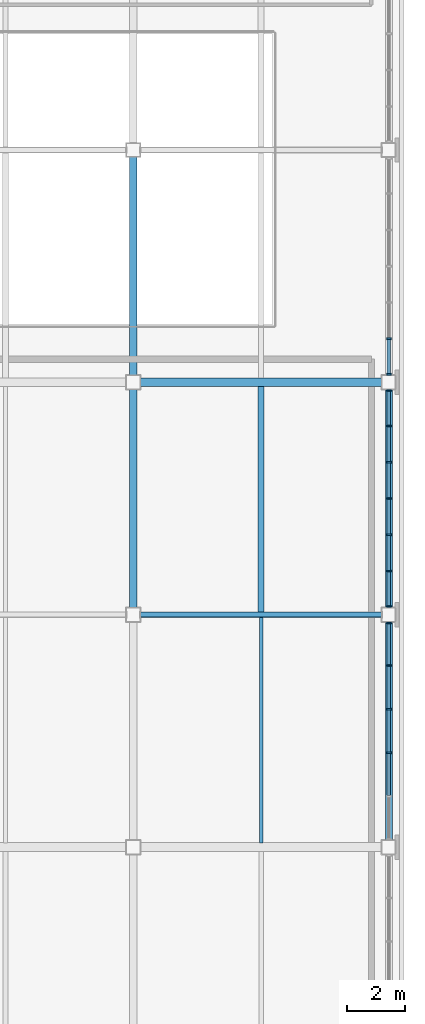
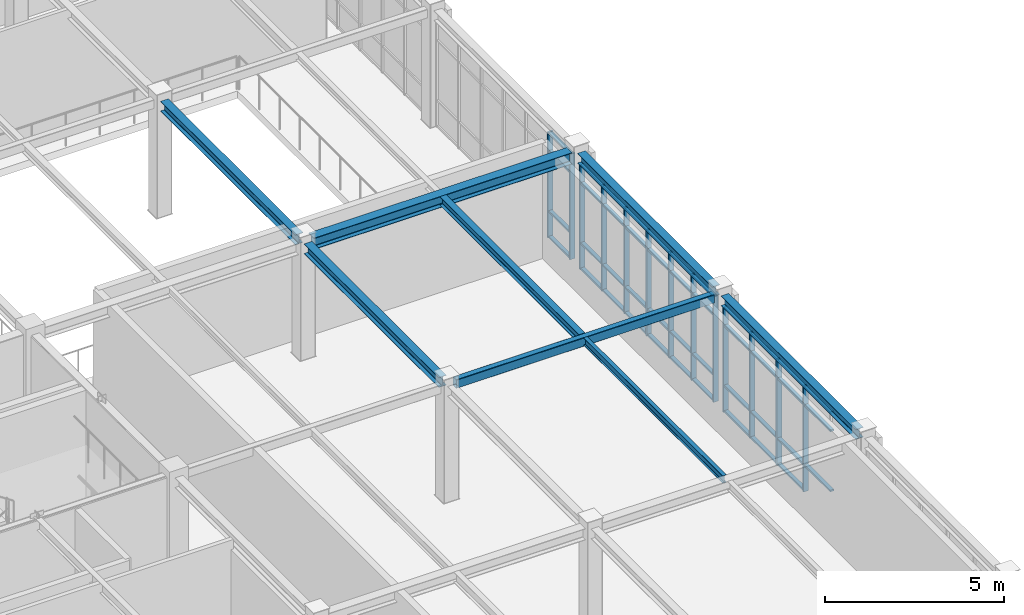
# One storey, part 10 of 45: 56 members, 8 beams, 3 elements without a shape of their own.
"""IFC4 building model written with IfcOpenShell, lengths in metres."""

from ifc_helpers import new_model, si_unit, direction, frame, origin, origin_2d, place, context, subcontext, project, spatial, rectangle, hollow_rectangle, i_section, extrude, material, material_profile, profile_set, type_object, element, aggregate, save


model = new_model("IFC4")

# Units and contexts
model_context = context("Model", 3, precision=1e-05, world=origin(), true_north=direction((0.0, 1.0)))
body_context = subcontext(model_context, "Body", "Model", "MODEL_VIEW")
ifc_project = project(units=[si_unit("LENGTHUNIT", "METRE"), si_unit("AREAUNIT", "SQUARE_METRE"), si_unit("VOLUMEUNIT", "CUBIC_METRE"), si_unit("PLANEANGLEUNIT", "RADIAN"), si_unit("MASSUNIT", "GRAM", prefix="KILO")], contexts=[model_context])

# Site, building, storey
site_placement = place(None, origin())
site = spatial("IfcSite", under=ifc_project, at=site_placement, CompositionType="ELEMENT")
building_placement = place(site_placement, origin())
building = spatial("IfcBuilding", under=site, at=building_placement, Name="Zhaolan Boulevard Law Courts", CompositionType="ELEMENT")
storey_placement = place(building_placement, frame((0.0, 0.0, 24.60009765625)))
storey = spatial("IfcBuildingStorey", under=building, at=storey_placement, Name="L05", CompositionType="ELEMENT", Elevation=24.60009765625)

# Curtain wall, members
ifc_material_1 = material(Name="Thermally broken aluminium and low-E glazing", Category="aluminium")
curtain_wall_type_1 = type_object("IfcCurtainWallType", Name="CURTAIN WALL M3", PredefinedType="USERDEFINED", material=ifc_material_1)
curtain_wall_1_placement = place(storey_placement, origin())
curtain_wall_1 = element("IfcCurtainWall", 1, at=curtain_wall_1_placement, inside=storey, type_object=curtain_wall_type_1, Name="Curtain Wall CW-L05-219", ObjectType="CURTAIN WALL", PredefinedType="USERDEFINED")
ifc_material_2 = material(Name="Fluorocarbon-coated aluminium 6063-T6", Category="aluminium")
ifc_material_profile_1 = material_profile(ifc_material_2, rectangle(XDim=0.159912109375, YDim=0.06005859375, at=origin_2d()), Name="AL60x160")
ifc_profile_set_1 = profile_set([ifc_material_profile_1], Name="Fluorocarbon-coated aluminium 6063-T6")
member_type_1 = type_object("IfcMemberType", Name="CWMULLION 60X160", PredefinedType="MULLION", material=ifc_profile_set_1)
member_1_placement = place(storey_placement, frame((44.0, 41.25048828125, 0.0), z_axis=(0.0, 0.0, 1.0), x_axis=(-1.0, 0.0, 0.0)))
member_1 = element("IfcMember", 2, at=member_1_placement, type_object=member_type_1, Name="CW-L05-219 mullion 3", PredefinedType="MULLION", context=body_context, shape_type="SweptSolid", body=[
    extrude(rectangle(XDim=0.159912109375, YDim=0.06005859375, at=origin_2d()), origin(), (0.0, 0.0, 1.0), 3.593017578125),
])
member_2_placement = place(storey_placement, frame((44.0, 42.74951171875, 0.0), z_axis=(0.0, 0.0, 1.0), x_axis=(-1.0, 0.0, 0.0)))
member_2 = element("IfcMember", 3, at=member_2_placement, type_object=member_type_1, Name="CW-L05-219 mullion 4", PredefinedType="MULLION", context=body_context, shape_type="SweptSolid", body=[
    extrude(rectangle(XDim=0.159912109375, YDim=0.06005859375, at=origin_2d()), origin(), (0.0, 0.0, 1.0), 3.593017578125),
])
member_3_placement = place(storey_placement, frame((44.0, 44.248779296875, 0.0), z_axis=(0.0, 0.0, 1.0), x_axis=(-1.0, 0.0, 0.0)))
member_3 = element("IfcMember", 4, at=member_3_placement, type_object=member_type_1, Name="CW-L05-219 mullion 5", PredefinedType="MULLION", context=body_context, shape_type="SweptSolid", body=[
    extrude(rectangle(XDim=0.159912109375, YDim=0.06005859375, at=origin_2d()), origin(), (0.0, 0.0, 1.0), 3.593017578125),
])
member_4_placement = place(storey_placement, frame((44.0, 45.718017578125, 0.0), z_axis=(0.0, 0.0, 1.0), x_axis=(-1.0, 0.0, 0.0)))
member_4 = element("IfcMember", 5, at=member_4_placement, type_object=member_type_1, Name="CW-L05-219 mullion 6", PredefinedType="MULLION", context=body_context, shape_type="SweptSolid", body=[
    extrude(rectangle(XDim=0.159912109375, YDim=0.06005859375, at=origin_2d()), origin(), (0.0, 0.0, 1.0), 3.593017578125),
])

ifc_material_3 = material(Name="Thermally broken aluminium and low-E glazing", Category="aluminium")
curtain_wall_type_2 = type_object("IfcCurtainWallType", Name="CURTAIN WALL M4", PredefinedType="USERDEFINED", material=ifc_material_3)
curtain_wall_2_placement = place(storey_placement, origin())
curtain_wall_2 = element("IfcCurtainWall", 6, at=curtain_wall_2_placement, inside=storey, type_object=curtain_wall_type_2, Name="Curtain Wall CW-L05-220", ObjectType="CURTAIN WALL", PredefinedType="USERDEFINED")
member_5_placement = place(storey_placement, frame((44.0, 46.281982421875, 0.0), z_axis=(0.0, 0.0, 1.0), x_axis=(-1.0, 0.0, 0.0)))
member_5 = element("IfcMember", 7, at=member_5_placement, type_object=member_type_1, Name="CW-L05-220 mullion 1", PredefinedType="MULLION", context=body_context, shape_type="SweptSolid", body=[
    extrude(rectangle(XDim=0.159912109375, YDim=0.06005859375, at=origin_2d()), origin(), (0.0, 0.0, 1.0), 3.593017578125),
])
member_6_placement = place(storey_placement, frame((44.0, 47.501220703125, 0.0), z_axis=(0.0, 0.0, 1.0), x_axis=(-1.0, 0.0, 0.0)))
member_6 = element("IfcMember", 8, at=member_6_placement, type_object=member_type_1, Name="CW-L05-220 mullion 2", PredefinedType="MULLION", context=body_context, shape_type="SweptSolid", body=[
    extrude(rectangle(XDim=0.159912109375, YDim=0.06005859375, at=origin_2d()), origin(), (0.0, 0.0, 1.0), 3.593017578125),
])
member_7_placement = place(storey_placement, frame((44.0, 48.750732421875, 0.0), z_axis=(0.0, 0.0, 1.0), x_axis=(-1.0, 0.0, 0.0)))
member_7 = element("IfcMember", 9, at=member_7_placement, type_object=member_type_1, Name="CW-L05-220 mullion 3", PredefinedType="MULLION", context=body_context, shape_type="SweptSolid", body=[
    extrude(rectangle(XDim=0.159912109375, YDim=0.06005859375, at=origin_2d()), origin(), (0.0, 0.0, 1.0), 3.593017578125),
])
member_8_placement = place(storey_placement, frame((44.0, 50.0, 0.0), z_axis=(0.0, 0.0, 1.0), x_axis=(-1.0, 0.0, 0.0)))
member_8 = element("IfcMember", 10, at=member_8_placement, type_object=member_type_1, Name="CW-L05-220 mullion 4", PredefinedType="MULLION", context=body_context, shape_type="SweptSolid", body=[
    extrude(rectangle(XDim=0.159912109375, YDim=0.06005859375, at=origin_2d()), origin(), (0.0, 0.0, 1.0), 3.593017578125),
])
member_9_placement = place(storey_placement, frame((44.0, 51.249267578125, 0.0), z_axis=(0.0, 0.0, 1.0), x_axis=(-1.0, 0.0, 0.0)))
member_9 = element("IfcMember", 11, at=member_9_placement, type_object=member_type_1, Name="CW-L05-220 mullion 5", PredefinedType="MULLION", context=body_context, shape_type="SweptSolid", body=[
    extrude(rectangle(XDim=0.159912109375, YDim=0.06005859375, at=origin_2d()), origin(), (0.0, 0.0, 1.0), 3.593017578125),
])
member_10_placement = place(storey_placement, frame((44.0, 52.498779296875, 0.0), z_axis=(0.0, 0.0, 1.0), x_axis=(-1.0, 0.0, 0.0)))
member_10 = element("IfcMember", 12, at=member_10_placement, type_object=member_type_1, Name="CW-L05-220 mullion 6", PredefinedType="MULLION", context=body_context, shape_type="SweptSolid", body=[
    extrude(rectangle(XDim=0.159912109375, YDim=0.06005859375, at=origin_2d()), origin(), (0.0, 0.0, 1.0), 3.593017578125),
])
member_11_placement = place(storey_placement, frame((44.0, 53.718017578125, 0.0), z_axis=(0.0, 0.0, 1.0), x_axis=(-1.0, 0.0, 0.0)))
member_11 = element("IfcMember", 13, at=member_11_placement, type_object=member_type_1, Name="CW-L05-220 mullion 7", PredefinedType="MULLION", context=body_context, shape_type="SweptSolid", body=[
    extrude(rectangle(XDim=0.159912109375, YDim=0.06005859375, at=origin_2d()), origin(), (0.0, 0.0, 1.0), 3.593017578125),
])

ifc_material_4 = material(Name="Thermally broken aluminium and low-E glazing", Category="aluminium")
curtain_wall_type_3 = type_object("IfcCurtainWallType", Name="CURTAIN WALL M5", PredefinedType="USERDEFINED", material=ifc_material_4)
curtain_wall_3_placement = place(storey_placement, origin())
curtain_wall_3 = element("IfcCurtainWall", 14, at=curtain_wall_3_placement, inside=storey, type_object=curtain_wall_type_3, Name="Curtain Wall CW-L05-221", ObjectType="CURTAIN WALL", PredefinedType="USERDEFINED")
member_12_placement = place(storey_placement, frame((44.0, 54.281982421875, 0.0), z_axis=(0.0, 0.0, 1.0), x_axis=(-1.0, 0.0, 0.0)))
member_12 = element("IfcMember", 15, at=member_12_placement, type_object=member_type_1, Name="CW-L05-221 mullion 1", PredefinedType="MULLION", context=body_context, shape_type="SweptSolid", body=[
    extrude(rectangle(XDim=0.159912109375, YDim=0.06005859375, at=origin_2d()), origin(), (0.0, 0.0, 1.0), 3.593017578125),
])
member_13_placement = place(storey_placement, frame((44.0, 55.501220703125, 0.0), z_axis=(0.0, 0.0, 1.0), x_axis=(-1.0, 0.0, 0.0)))
member_13 = element("IfcMember", 16, at=member_13_placement, type_object=member_type_1, Name="CW-L05-221 mullion 2", PredefinedType="MULLION", context=body_context, shape_type="SweptSolid", body=[
    extrude(rectangle(XDim=0.159912109375, YDim=0.06005859375, at=origin_2d()), origin(), (0.0, 0.0, 1.0), 3.593017578125),
])

# Member
ifc_material_5 = material(Name="Fluorocarbon-coated aluminium 6063-T6", Category="aluminium")
ifc_material_profile_2 = material_profile(ifc_material_5, rectangle(XDim=0.1201171875, YDim=0.06005859375, at=origin_2d()), Name="AL60x120")
ifc_profile_set_2 = profile_set([ifc_material_profile_2], Name="Fluorocarbon-coated aluminium 6063-T6")
member_type_2 = type_object("IfcMemberType", Name="CWTRANSOM 60X120", PredefinedType="USERDEFINED", material=ifc_profile_set_2)
member_14_placement = place(storey_placement, frame((44.0, 39.78125, 0.89990234375), z_axis=(0.0, 1.0, 0.0), x_axis=(-1.0, 0.0, 0.0)))
member_14 = element("IfcMember", 17, at=member_14_placement, type_object=member_type_2, Name="CW-L05-219 transom 2.2", ObjectType="TRANSOM", PredefinedType="USERDEFINED", context=body_context, shape_type="SweptSolid", body=[
    extrude(rectangle(XDim=0.1201171875, YDim=0.06005859375, at=origin_2d()), origin(), (0.0, 0.0, 1.0), 1.439208984375),
])

member_15_placement = place(storey_placement, frame((44.0, 39.78125, 2.94287109375), z_axis=(0.0, 1.0, 0.0), x_axis=(-1.0, 0.0, 0.0)))
member_15 = element("IfcMember", 18, at=member_15_placement, type_object=member_type_2, Name="CW-L05-219 transom 2.3", ObjectType="TRANSOM", PredefinedType="USERDEFINED", context=body_context, shape_type="SweptSolid", body=[
    extrude(rectangle(XDim=0.1201171875, YDim=0.06005859375, at=origin_2d()), origin(), (0.0, 0.0, 1.0), 1.439208984375),
])

member_16_placement = place(storey_placement, frame((44.0, 39.78125, 3.56298828125), z_axis=(0.0, 1.0, 0.0), x_axis=(-1.0, 0.0, 0.0)))
member_16 = element("IfcMember", 19, at=member_16_placement, type_object=member_type_2, Name="CW-L05-219 transom 2.4", ObjectType="TRANSOM", PredefinedType="USERDEFINED", context=body_context, shape_type="SweptSolid", body=[
    extrude(rectangle(XDim=0.1201171875, YDim=0.06005859375, at=origin_2d()), origin(), (0.0, 0.0, 1.0), 1.439208984375),
])

member_17_placement = place(storey_placement, frame((44.0, 41.280517578125, 0.02978515625), z_axis=(0.0, 1.0, 0.0), x_axis=(-1.0, 0.0, 0.0)))
member_17 = element("IfcMember", 20, at=member_17_placement, type_object=member_type_2, Name="CW-L05-219 transom 3.1", ObjectType="TRANSOM", PredefinedType="USERDEFINED", context=body_context, shape_type="SweptSolid", body=[
    extrude(rectangle(XDim=0.1201171875, YDim=0.06005859375, at=origin_2d()), origin(), (0.0, 0.0, 1.0), 1.43896484375),
])

member_18_placement = place(storey_placement, frame((44.0, 41.280517578125, 0.89990234375), z_axis=(0.0, 1.0, 0.0), x_axis=(-1.0, 0.0, 0.0)))
member_18 = element("IfcMember", 21, at=member_18_placement, type_object=member_type_2, Name="CW-L05-219 transom 3.2", ObjectType="TRANSOM", PredefinedType="USERDEFINED", context=body_context, shape_type="SweptSolid", body=[
    extrude(rectangle(XDim=0.1201171875, YDim=0.06005859375, at=origin_2d()), origin(), (0.0, 0.0, 1.0), 1.43896484375),
])

member_19_placement = place(storey_placement, frame((44.0, 41.280517578125, 2.94287109375), z_axis=(0.0, 1.0, 0.0), x_axis=(-1.0, 0.0, 0.0)))
member_19 = element("IfcMember", 22, at=member_19_placement, type_object=member_type_2, Name="CW-L05-219 transom 3.3", ObjectType="TRANSOM", PredefinedType="USERDEFINED", context=body_context, shape_type="SweptSolid", body=[
    extrude(rectangle(XDim=0.1201171875, YDim=0.06005859375, at=origin_2d()), origin(), (0.0, 0.0, 1.0), 1.43896484375),
])

member_20_placement = place(storey_placement, frame((44.0, 41.280517578125, 3.56298828125), z_axis=(0.0, 1.0, 0.0), x_axis=(-1.0, 0.0, 0.0)))
member_20 = element("IfcMember", 23, at=member_20_placement, type_object=member_type_2, Name="CW-L05-219 transom 3.4", ObjectType="TRANSOM", PredefinedType="USERDEFINED", context=body_context, shape_type="SweptSolid", body=[
    extrude(rectangle(XDim=0.1201171875, YDim=0.06005859375, at=origin_2d()), origin(), (0.0, 0.0, 1.0), 1.43896484375),
])

member_21_placement = place(storey_placement, frame((44.0, 42.779541015625, 0.02978515625), z_axis=(0.0, 1.0, 0.0), x_axis=(-1.0, 0.0, 0.0)))
member_21 = element("IfcMember", 24, at=member_21_placement, type_object=member_type_2, Name="CW-L05-219 transom 4.1", ObjectType="TRANSOM", PredefinedType="USERDEFINED", context=body_context, shape_type="SweptSolid", body=[
    extrude(rectangle(XDim=0.1201171875, YDim=0.06005859375, at=origin_2d()), origin(), (0.0, 0.0, 1.0), 1.439208984375),
])

member_22_placement = place(storey_placement, frame((44.0, 42.779541015625, 0.89990234375), z_axis=(0.0, 1.0, 0.0), x_axis=(-1.0, 0.0, 0.0)))
member_22 = element("IfcMember", 25, at=member_22_placement, type_object=member_type_2, Name="CW-L05-219 transom 4.2", ObjectType="TRANSOM", PredefinedType="USERDEFINED", context=body_context, shape_type="SweptSolid", body=[
    extrude(rectangle(XDim=0.1201171875, YDim=0.06005859375, at=origin_2d()), origin(), (0.0, 0.0, 1.0), 1.439208984375),
])

member_23_placement = place(storey_placement, frame((44.0, 42.779541015625, 2.94287109375), z_axis=(0.0, 1.0, 0.0), x_axis=(-1.0, 0.0, 0.0)))
member_23 = element("IfcMember", 26, at=member_23_placement, type_object=member_type_2, Name="CW-L05-219 transom 4.3", ObjectType="TRANSOM", PredefinedType="USERDEFINED", context=body_context, shape_type="SweptSolid", body=[
    extrude(rectangle(XDim=0.1201171875, YDim=0.06005859375, at=origin_2d()), origin(), (0.0, 0.0, 1.0), 1.439208984375),
])

member_24_placement = place(storey_placement, frame((44.0, 42.779541015625, 3.56298828125), z_axis=(0.0, 1.0, 0.0), x_axis=(-1.0, 0.0, 0.0)))
member_24 = element("IfcMember", 27, at=member_24_placement, type_object=member_type_2, Name="CW-L05-219 transom 4.4", ObjectType="TRANSOM", PredefinedType="USERDEFINED", context=body_context, shape_type="SweptSolid", body=[
    extrude(rectangle(XDim=0.1201171875, YDim=0.06005859375, at=origin_2d()), origin(), (0.0, 0.0, 1.0), 1.439208984375),
])

member_25_placement = place(storey_placement, frame((44.0, 44.27880859375, 0.02978515625), z_axis=(0.0, 1.0, 0.0), x_axis=(-1.0, 0.0, 0.0)))
member_25 = element("IfcMember", 28, at=member_25_placement, type_object=member_type_2, Name="CW-L05-219 transom 5.1", ObjectType="TRANSOM", PredefinedType="USERDEFINED", context=body_context, shape_type="SweptSolid", body=[
    extrude(rectangle(XDim=0.1201171875, YDim=0.06005859375, at=origin_2d()), origin(), (0.0, 0.0, 1.0), 1.4091796875),
])

member_26_placement = place(storey_placement, frame((44.0, 44.27880859375, 0.89990234375), z_axis=(0.0, 1.0, 0.0), x_axis=(-1.0, 0.0, 0.0)))
member_26 = element("IfcMember", 29, at=member_26_placement, type_object=member_type_2, Name="CW-L05-219 transom 5.2", ObjectType="TRANSOM", PredefinedType="USERDEFINED", context=body_context, shape_type="SweptSolid", body=[
    extrude(rectangle(XDim=0.1201171875, YDim=0.06005859375, at=origin_2d()), origin(), (0.0, 0.0, 1.0), 1.4091796875),
])

member_27_placement = place(storey_placement, frame((44.0, 44.27880859375, 2.94287109375), z_axis=(0.0, 1.0, 0.0), x_axis=(-1.0, 0.0, 0.0)))
member_27 = element("IfcMember", 30, at=member_27_placement, type_object=member_type_2, Name="CW-L05-219 transom 5.3", ObjectType="TRANSOM", PredefinedType="USERDEFINED", context=body_context, shape_type="SweptSolid", body=[
    extrude(rectangle(XDim=0.1201171875, YDim=0.06005859375, at=origin_2d()), origin(), (0.0, 0.0, 1.0), 1.4091796875),
])

member_28_placement = place(storey_placement, frame((44.0, 44.27880859375, 3.56298828125), z_axis=(0.0, 1.0, 0.0), x_axis=(-1.0, 0.0, 0.0)))
member_28 = element("IfcMember", 31, at=member_28_placement, type_object=member_type_2, Name="CW-L05-219 transom 5.4", ObjectType="TRANSOM", PredefinedType="USERDEFINED", context=body_context, shape_type="SweptSolid", body=[
    extrude(rectangle(XDim=0.1201171875, YDim=0.06005859375, at=origin_2d()), origin(), (0.0, 0.0, 1.0), 1.4091796875),
])

aggregate(curtain_wall_1, [member_1, member_2, member_3, member_4, member_14, member_15, member_16, member_17, member_18, member_19, member_20, member_21, member_22, member_23, member_24, member_25, member_26, member_27, member_28])

member_29_placement = place(storey_placement, frame((44.0, 46.31201171875, 0.02978515625), z_axis=(0.0, 1.0, 0.0), x_axis=(-1.0, 0.0, 0.0)))
member_29 = element("IfcMember", 32, at=member_29_placement, type_object=member_type_2, Name="CW-L05-220 transom 1.1", ObjectType="TRANSOM", PredefinedType="USERDEFINED", context=body_context, shape_type="SweptSolid", body=[
    extrude(rectangle(XDim=0.1201171875, YDim=0.06005859375, at=origin_2d()), origin(), (0.0, 0.0, 1.0), 1.159423828125),
])

member_30_placement = place(storey_placement, frame((44.0, 46.31201171875, 0.89990234375), z_axis=(0.0, 1.0, 0.0), x_axis=(-1.0, 0.0, 0.0)))
member_30 = element("IfcMember", 33, at=member_30_placement, type_object=member_type_2, Name="CW-L05-220 transom 1.2", ObjectType="TRANSOM", PredefinedType="USERDEFINED", context=body_context, shape_type="SweptSolid", body=[
    extrude(rectangle(XDim=0.1201171875, YDim=0.06005859375, at=origin_2d()), origin(), (0.0, 0.0, 1.0), 1.159423828125),
])

member_31_placement = place(storey_placement, frame((44.0, 46.31201171875, 2.94287109375), z_axis=(0.0, 1.0, 0.0), x_axis=(-1.0, 0.0, 0.0)))
member_31 = element("IfcMember", 34, at=member_31_placement, type_object=member_type_2, Name="CW-L05-220 transom 1.3", ObjectType="TRANSOM", PredefinedType="USERDEFINED", context=body_context, shape_type="SweptSolid", body=[
    extrude(rectangle(XDim=0.1201171875, YDim=0.06005859375, at=origin_2d()), origin(), (0.0, 0.0, 1.0), 1.159423828125),
])

member_32_placement = place(storey_placement, frame((44.0, 46.31201171875, 3.56298828125), z_axis=(0.0, 1.0, 0.0), x_axis=(-1.0, 0.0, 0.0)))
member_32 = element("IfcMember", 35, at=member_32_placement, type_object=member_type_2, Name="CW-L05-220 transom 1.4", ObjectType="TRANSOM", PredefinedType="USERDEFINED", context=body_context, shape_type="SweptSolid", body=[
    extrude(rectangle(XDim=0.1201171875, YDim=0.06005859375, at=origin_2d()), origin(), (0.0, 0.0, 1.0), 1.159423828125),
])

member_33_placement = place(storey_placement, frame((44.0, 47.53125, 0.02978515625), z_axis=(0.0, 1.0, 0.0), x_axis=(-1.0, 0.0, 0.0)))
member_33 = element("IfcMember", 36, at=member_33_placement, type_object=member_type_2, Name="CW-L05-220 transom 2.1", ObjectType="TRANSOM", PredefinedType="USERDEFINED", context=body_context, shape_type="SweptSolid", body=[
    extrude(rectangle(XDim=0.1201171875, YDim=0.06005859375, at=origin_2d()), origin(), (0.0, 0.0, 1.0), 1.189453125),
])

member_34_placement = place(storey_placement, frame((44.0, 47.53125, 0.89990234375), z_axis=(0.0, 1.0, 0.0), x_axis=(-1.0, 0.0, 0.0)))
member_34 = element("IfcMember", 37, at=member_34_placement, type_object=member_type_2, Name="CW-L05-220 transom 2.2", ObjectType="TRANSOM", PredefinedType="USERDEFINED", context=body_context, shape_type="SweptSolid", body=[
    extrude(rectangle(XDim=0.1201171875, YDim=0.06005859375, at=origin_2d()), origin(), (0.0, 0.0, 1.0), 1.189453125),
])

member_35_placement = place(storey_placement, frame((44.0, 47.53125, 2.94287109375), z_axis=(0.0, 1.0, 0.0), x_axis=(-1.0, 0.0, 0.0)))
member_35 = element("IfcMember", 38, at=member_35_placement, type_object=member_type_2, Name="CW-L05-220 transom 2.3", ObjectType="TRANSOM", PredefinedType="USERDEFINED", context=body_context, shape_type="SweptSolid", body=[
    extrude(rectangle(XDim=0.1201171875, YDim=0.06005859375, at=origin_2d()), origin(), (0.0, 0.0, 1.0), 1.189453125),
])

member_36_placement = place(storey_placement, frame((44.0, 47.53125, 3.56298828125), z_axis=(0.0, 1.0, 0.0), x_axis=(-1.0, 0.0, 0.0)))
member_36 = element("IfcMember", 39, at=member_36_placement, type_object=member_type_2, Name="CW-L05-220 transom 2.4", ObjectType="TRANSOM", PredefinedType="USERDEFINED", context=body_context, shape_type="SweptSolid", body=[
    extrude(rectangle(XDim=0.1201171875, YDim=0.06005859375, at=origin_2d()), origin(), (0.0, 0.0, 1.0), 1.189453125),
])

member_37_placement = place(storey_placement, frame((44.0, 48.78076171875, 0.02978515625), z_axis=(0.0, 1.0, 0.0), x_axis=(-1.0, 0.0, 0.0)))
member_37 = element("IfcMember", 40, at=member_37_placement, type_object=member_type_2, Name="CW-L05-220 transom 3.1", ObjectType="TRANSOM", PredefinedType="USERDEFINED", context=body_context, shape_type="SweptSolid", body=[
    extrude(rectangle(XDim=0.1201171875, YDim=0.06005859375, at=origin_2d()), origin(), (0.0, 0.0, 1.0), 1.189208984375),
])

member_38_placement = place(storey_placement, frame((44.0, 48.78076171875, 0.89990234375), z_axis=(0.0, 1.0, 0.0), x_axis=(-1.0, 0.0, 0.0)))
member_38 = element("IfcMember", 41, at=member_38_placement, type_object=member_type_2, Name="CW-L05-220 transom 3.2", ObjectType="TRANSOM", PredefinedType="USERDEFINED", context=body_context, shape_type="SweptSolid", body=[
    extrude(rectangle(XDim=0.1201171875, YDim=0.06005859375, at=origin_2d()), origin(), (0.0, 0.0, 1.0), 1.189208984375),
])

member_39_placement = place(storey_placement, frame((44.0, 48.78076171875, 2.94287109375), z_axis=(0.0, 1.0, 0.0), x_axis=(-1.0, 0.0, 0.0)))
member_39 = element("IfcMember", 42, at=member_39_placement, type_object=member_type_2, Name="CW-L05-220 transom 3.3", ObjectType="TRANSOM", PredefinedType="USERDEFINED", context=body_context, shape_type="SweptSolid", body=[
    extrude(rectangle(XDim=0.1201171875, YDim=0.06005859375, at=origin_2d()), origin(), (0.0, 0.0, 1.0), 1.189208984375),
])

member_40_placement = place(storey_placement, frame((44.0, 48.78076171875, 3.56298828125), z_axis=(0.0, 1.0, 0.0), x_axis=(-1.0, 0.0, 0.0)))
member_40 = element("IfcMember", 43, at=member_40_placement, type_object=member_type_2, Name="CW-L05-220 transom 3.4", ObjectType="TRANSOM", PredefinedType="USERDEFINED", context=body_context, shape_type="SweptSolid", body=[
    extrude(rectangle(XDim=0.1201171875, YDim=0.06005859375, at=origin_2d()), origin(), (0.0, 0.0, 1.0), 1.189208984375),
])

member_41_placement = place(storey_placement, frame((44.0, 50.030029296875, 0.02978515625), z_axis=(0.0, 1.0, 0.0), x_axis=(-1.0, 0.0, 0.0)))
member_41 = element("IfcMember", 44, at=member_41_placement, type_object=member_type_2, Name="CW-L05-220 transom 4.1", ObjectType="TRANSOM", PredefinedType="USERDEFINED", context=body_context, shape_type="SweptSolid", body=[
    extrude(rectangle(XDim=0.1201171875, YDim=0.06005859375, at=origin_2d()), origin(), (0.0, 0.0, 1.0), 1.189208984375),
])

member_42_placement = place(storey_placement, frame((44.0, 50.030029296875, 0.89990234375), z_axis=(0.0, 1.0, 0.0), x_axis=(-1.0, 0.0, 0.0)))
member_42 = element("IfcMember", 45, at=member_42_placement, type_object=member_type_2, Name="CW-L05-220 transom 4.2", ObjectType="TRANSOM", PredefinedType="USERDEFINED", context=body_context, shape_type="SweptSolid", body=[
    extrude(rectangle(XDim=0.1201171875, YDim=0.06005859375, at=origin_2d()), origin(), (0.0, 0.0, 1.0), 1.189208984375),
])

member_43_placement = place(storey_placement, frame((44.0, 50.030029296875, 2.94287109375), z_axis=(0.0, 1.0, 0.0), x_axis=(-1.0, 0.0, 0.0)))
member_43 = element("IfcMember", 46, at=member_43_placement, type_object=member_type_2, Name="CW-L05-220 transom 4.3", ObjectType="TRANSOM", PredefinedType="USERDEFINED", context=body_context, shape_type="SweptSolid", body=[
    extrude(rectangle(XDim=0.1201171875, YDim=0.06005859375, at=origin_2d()), origin(), (0.0, 0.0, 1.0), 1.189208984375),
])

member_44_placement = place(storey_placement, frame((44.0, 50.030029296875, 3.56298828125), z_axis=(0.0, 1.0, 0.0), x_axis=(-1.0, 0.0, 0.0)))
member_44 = element("IfcMember", 47, at=member_44_placement, type_object=member_type_2, Name="CW-L05-220 transom 4.4", ObjectType="TRANSOM", PredefinedType="USERDEFINED", context=body_context, shape_type="SweptSolid", body=[
    extrude(rectangle(XDim=0.1201171875, YDim=0.06005859375, at=origin_2d()), origin(), (0.0, 0.0, 1.0), 1.189208984375),
])

member_45_placement = place(storey_placement, frame((44.0, 51.279296875, 0.02978515625), z_axis=(0.0, 1.0, 0.0), x_axis=(-1.0, 0.0, 0.0)))
member_45 = element("IfcMember", 48, at=member_45_placement, type_object=member_type_2, Name="CW-L05-220 transom 5.1", ObjectType="TRANSOM", PredefinedType="USERDEFINED", context=body_context, shape_type="SweptSolid", body=[
    extrude(rectangle(XDim=0.1201171875, YDim=0.06005859375, at=origin_2d()), origin(), (0.0, 0.0, 1.0), 1.189453125),
])

member_46_placement = place(storey_placement, frame((44.0, 51.279296875, 0.89990234375), z_axis=(0.0, 1.0, 0.0), x_axis=(-1.0, 0.0, 0.0)))
member_46 = element("IfcMember", 49, at=member_46_placement, type_object=member_type_2, Name="CW-L05-220 transom 5.2", ObjectType="TRANSOM", PredefinedType="USERDEFINED", context=body_context, shape_type="SweptSolid", body=[
    extrude(rectangle(XDim=0.1201171875, YDim=0.06005859375, at=origin_2d()), origin(), (0.0, 0.0, 1.0), 1.189453125),
])

member_47_placement = place(storey_placement, frame((44.0, 51.279296875, 2.94287109375), z_axis=(0.0, 1.0, 0.0), x_axis=(-1.0, 0.0, 0.0)))
member_47 = element("IfcMember", 50, at=member_47_placement, type_object=member_type_2, Name="CW-L05-220 transom 5.3", ObjectType="TRANSOM", PredefinedType="USERDEFINED", context=body_context, shape_type="SweptSolid", body=[
    extrude(rectangle(XDim=0.1201171875, YDim=0.06005859375, at=origin_2d()), origin(), (0.0, 0.0, 1.0), 1.189453125),
])

member_48_placement = place(storey_placement, frame((44.0, 51.279296875, 3.56298828125), z_axis=(0.0, 1.0, 0.0), x_axis=(-1.0, 0.0, 0.0)))
member_48 = element("IfcMember", 51, at=member_48_placement, type_object=member_type_2, Name="CW-L05-220 transom 5.4", ObjectType="TRANSOM", PredefinedType="USERDEFINED", context=body_context, shape_type="SweptSolid", body=[
    extrude(rectangle(XDim=0.1201171875, YDim=0.06005859375, at=origin_2d()), origin(), (0.0, 0.0, 1.0), 1.189453125),
])

member_49_placement = place(storey_placement, frame((44.0, 52.528564453125, 0.02978515625), z_axis=(0.0, 1.0, 0.0), x_axis=(-1.0, 0.0, 0.0)))
member_49 = element("IfcMember", 52, at=member_49_placement, type_object=member_type_2, Name="CW-L05-220 transom 6.1", ObjectType="TRANSOM", PredefinedType="USERDEFINED", context=body_context, shape_type="SweptSolid", body=[
    extrude(rectangle(XDim=0.1201171875, YDim=0.06005859375, at=origin_2d()), origin(), (0.0, 0.0, 1.0), 1.159423828125),
])

member_50_placement = place(storey_placement, frame((44.0, 52.528564453125, 0.89990234375), z_axis=(0.0, 1.0, 0.0), x_axis=(-1.0, 0.0, 0.0)))
member_50 = element("IfcMember", 53, at=member_50_placement, type_object=member_type_2, Name="CW-L05-220 transom 6.2", ObjectType="TRANSOM", PredefinedType="USERDEFINED", context=body_context, shape_type="SweptSolid", body=[
    extrude(rectangle(XDim=0.1201171875, YDim=0.06005859375, at=origin_2d()), origin(), (0.0, 0.0, 1.0), 1.159423828125),
])

member_51_placement = place(storey_placement, frame((44.0, 52.528564453125, 2.94287109375), z_axis=(0.0, 1.0, 0.0), x_axis=(-1.0, 0.0, 0.0)))
member_51 = element("IfcMember", 54, at=member_51_placement, type_object=member_type_2, Name="CW-L05-220 transom 6.3", ObjectType="TRANSOM", PredefinedType="USERDEFINED", context=body_context, shape_type="SweptSolid", body=[
    extrude(rectangle(XDim=0.1201171875, YDim=0.06005859375, at=origin_2d()), origin(), (0.0, 0.0, 1.0), 1.159423828125),
])

member_52_placement = place(storey_placement, frame((44.0, 52.528564453125, 3.56298828125), z_axis=(0.0, 1.0, 0.0), x_axis=(-1.0, 0.0, 0.0)))
member_52 = element("IfcMember", 55, at=member_52_placement, type_object=member_type_2, Name="CW-L05-220 transom 6.4", ObjectType="TRANSOM", PredefinedType="USERDEFINED", context=body_context, shape_type="SweptSolid", body=[
    extrude(rectangle(XDim=0.1201171875, YDim=0.06005859375, at=origin_2d()), origin(), (0.0, 0.0, 1.0), 1.159423828125),
])

aggregate(curtain_wall_2, [member_5, member_6, member_7, member_8, member_9, member_10, member_11, member_29, member_30, member_31, member_32, member_33, member_34, member_35, member_36, member_37, member_38, member_39, member_40, member_41, member_42, member_43, member_44, member_45, member_46, member_47, member_48, member_49, member_50, member_51, member_52])

member_53_placement = place(storey_placement, frame((44.0, 54.31201171875, 0.02978515625), z_axis=(0.0, 1.0, 0.0), x_axis=(-1.0, 0.0, 0.0)))
member_53 = element("IfcMember", 56, at=member_53_placement, type_object=member_type_2, Name="CW-L05-221 transom 1.1", ObjectType="TRANSOM", PredefinedType="USERDEFINED", context=body_context, shape_type="SweptSolid", body=[
    extrude(rectangle(XDim=0.1201171875, YDim=0.06005859375, at=origin_2d()), origin(), (0.0, 0.0, 1.0), 1.159423828125),
])

member_54_placement = place(storey_placement, frame((44.0, 54.31201171875, 0.89990234375), z_axis=(0.0, 1.0, 0.0), x_axis=(-1.0, 0.0, 0.0)))
member_54 = element("IfcMember", 57, at=member_54_placement, type_object=member_type_2, Name="CW-L05-221 transom 1.2", ObjectType="TRANSOM", PredefinedType="USERDEFINED", context=body_context, shape_type="SweptSolid", body=[
    extrude(rectangle(XDim=0.1201171875, YDim=0.06005859375, at=origin_2d()), origin(), (0.0, 0.0, 1.0), 1.159423828125),
])

member_55_placement = place(storey_placement, frame((44.0, 54.31201171875, 2.94287109375), z_axis=(0.0, 1.0, 0.0), x_axis=(-1.0, 0.0, 0.0)))
member_55 = element("IfcMember", 58, at=member_55_placement, type_object=member_type_2, Name="CW-L05-221 transom 1.3", ObjectType="TRANSOM", PredefinedType="USERDEFINED", context=body_context, shape_type="SweptSolid", body=[
    extrude(rectangle(XDim=0.1201171875, YDim=0.06005859375, at=origin_2d()), origin(), (0.0, 0.0, 1.0), 1.159423828125),
])

member_56_placement = place(storey_placement, frame((44.0, 54.31201171875, 3.56298828125), z_axis=(0.0, 1.0, 0.0), x_axis=(-1.0, 0.0, 0.0)))
member_56 = element("IfcMember", 59, at=member_56_placement, type_object=member_type_2, Name="CW-L05-221 transom 1.4", ObjectType="TRANSOM", PredefinedType="USERDEFINED", context=body_context, shape_type="SweptSolid", body=[
    extrude(rectangle(XDim=0.1201171875, YDim=0.06005859375, at=origin_2d()), origin(), (0.0, 0.0, 1.0), 1.159423828125),
])

aggregate(curtain_wall_3, [member_12, member_13, member_53, member_54, member_55, member_56])

# Beams
ifc_material_6 = material(Name="Structural steel Q355B", Category="steel")
ifc_material_profile_3 = material_profile(ifc_material_6, i_section(OverallWidth=0.25, OverallDepth=0.340087890625, WebThickness=0.009033203125, FlangeThickness=0.013916015625, FilletRadius=0.01611328125, at=origin_2d()), Name="HM340x250")
ifc_profile_set_3 = profile_set([ifc_material_profile_3], Name="Structural steel Q355B")
beam_type_1 = type_object("IfcBeamType", Name="GIRDER HM340", PredefinedType="BEAM", material=ifc_profile_set_3)
for number, where, z_axis, x_axis, name in (
    (60, (35.199951171875, 46.24609375, 3.77783203125), (0.0, 1.0, 0.0), (-1.0, 0.0, 0.0), "Beam BY-L06-5-G-H"),
    (61, (35.199951171875, 54.24609375, 3.77783203125), (0.0, 1.0, 0.0), (-1.0, 0.0, 0.0), "Beam BY-L06-5-H-J"),
    (62, (44.0, 38.24609375, 3.77783203125), (0.0, 1.0, 0.0), (-1.0, 0.0, 0.0), "Beam BY-L06-6-F-G"),
    (63, (44.0, 46.24609375, 3.77783203125), (0.0, 1.0, 0.0), (-1.0, 0.0, 0.0), "Beam BY-L06-6-G-H"),
):
    element("IfcBeam", number, at=place(storey_placement, frame(where, z_axis=z_axis, x_axis=x_axis)), inside=storey, type_object=beam_type_1, Name=name, PredefinedType="BEAM", context=body_context, shape_type="SweptSolid", body=[
        extrude(i_section(OverallWidth=0.25, OverallDepth=0.340087890625, WebThickness=0.009033203125, FlangeThickness=0.013916015625, FilletRadius=0.01611328125, at=origin_2d()), origin(), (0.0, 0.0, 1.0), 7.5078125),
    ])
ifc_material_7 = material(Name="Structural steel Q355B", Category="steel")
ifc_material_profile_4 = material_profile(ifc_material_7, i_section(OverallWidth=0.300048828125, OverallDepth=0.389892578125, WebThickness=0.010009765625, FlangeThickness=0.01611328125, FilletRadius=0.01806640625, at=origin_2d()), Name="HM390x300")
ifc_profile_set_4 = profile_set([ifc_material_profile_4], Name="Structural steel Q355B")
beam_type_2 = type_object("IfcBeamType", Name="GIRDER HM390", PredefinedType="BEAM", material=ifc_profile_set_4)
beam_1_placement = place(storey_placement, frame((35.446044921875, 54.0, 3.7529296875), z_axis=(1.0, 0.0, 0.0), x_axis=(0.0, 1.0, 0.0)))
element("IfcBeam", 64, at=beam_1_placement, inside=storey, type_object=beam_type_2, Name="Beam BX-L06-5-6-H", PredefinedType="BEAM", context=body_context, shape_type="SweptSolid", body=[
    extrude(i_section(OverallWidth=0.300048828125, OverallDepth=0.389892578125, WebThickness=0.010009765625, FlangeThickness=0.01611328125, FilletRadius=0.01806640625, at=origin_2d()), origin(), (0.0, 0.0, 1.0), 8.307861328125),
])
ifc_material_8 = material(Name="Structural steel Q355B", Category="steel")
ifc_material_profile_5 = material_profile(ifc_material_8, i_section(OverallWidth=0.199951171875, OverallDepth=0.2939453125, WebThickness=0.008056640625, FlangeThickness=0.011962890625, FilletRadius=0.01611328125, at=origin_2d()), Name="HM294x200")
ifc_profile_set_5 = profile_set([ifc_material_profile_5], Name="Structural steel Q355B")
beam_type_3 = type_object("IfcBeamType", Name="JOIST HM294", PredefinedType="JOIST", material=ifc_profile_set_5)
beam_2_placement = place(storey_placement, frame((39.60009765625, 46.095947265625, 3.80078125), z_axis=(0.0, 1.0, 0.0), x_axis=(-1.0, 0.0, 0.0)))
element("IfcBeam", 65, at=beam_2_placement, inside=storey, type_object=beam_type_3, Name="Composite Joist J-L06-5G", PredefinedType="JOIST", context=body_context, shape_type="SweptSolid", body=[
    extrude(i_section(OverallWidth=0.199951171875, OverallDepth=0.2939453125, WebThickness=0.008056640625, FlangeThickness=0.011962890625, FilletRadius=0.01611328125, at=origin_2d()), origin(), (0.0, 0.0, 1.0), 7.758056640625),
])
ifc_material_9 = material(Name="Structural steel Q355B", Category="steel")
ifc_material_profile_6 = material_profile(ifc_material_9, i_section(OverallWidth=0.125, OverallDepth=0.25, WebThickness=0.006103515625, FlangeThickness=0.009033203125, FilletRadius=0.010009765625, at=origin_2d()), Name="HN250x125")
ifc_profile_set_6 = profile_set([ifc_material_profile_6], Name="Structural steel Q355B")
beam_type_4 = type_object("IfcBeamType", Name="JOIST HN250", PredefinedType="JOIST", material=ifc_profile_set_6)
beam_3_placement = place(storey_placement, frame((39.60009765625, 38.14599609375, 3.822998046875), z_axis=(0.0, 1.0, 0.0), x_axis=(-1.0, 0.0, 0.0)))
element("IfcBeam", 66, at=beam_3_placement, inside=storey, type_object=beam_type_4, Name="Composite Joist J-L06-5F", PredefinedType="JOIST", context=body_context, shape_type="SweptSolid", body=[
    extrude(i_section(OverallWidth=0.125, OverallDepth=0.25, WebThickness=0.006103515625, FlangeThickness=0.009033203125, FilletRadius=0.010009765625, at=origin_2d()), origin(), (0.0, 0.0, 1.0), 7.758056640625),
])
ifc_material_10 = material(Name="Structural steel Q355B", Category="steel")
ifc_material_profile_7 = material_profile(ifc_material_10, hollow_rectangle(XDim=0.199951171875, YDim=0.300048828125, WallThickness=0.011962890625, InnerFilletRadius=0.011962890625, OuterFilletRadius=0.02392578125, at=origin_2d()), Name="HSS300x200x12")
ifc_profile_set_7 = profile_set([ifc_material_profile_7], Name="Structural steel Q355B")
beam_type_5 = type_object("IfcBeamType", Name="SPANDREL HSS300", PredefinedType="SPANDREL", material=ifc_profile_set_7)
beam_4_placement = place(storey_placement, frame((35.446044921875, 46.0, 3.7978515625), z_axis=(1.0, 0.0, 0.0), x_axis=(0.0, 1.0, 0.0)))
element("IfcBeam", 67, at=beam_4_placement, inside=storey, type_object=beam_type_5, Name="Beam BX-L06-5-6-G", PredefinedType="SPANDREL", context=body_context, shape_type="SweptSolid", body=[
    extrude(hollow_rectangle(XDim=0.199951171875, YDim=0.300048828125, WallThickness=0.011962890625, InnerFilletRadius=0.011962890625, OuterFilletRadius=0.02392578125, at=origin_2d()), origin(), (0.0, 0.0, 1.0), 8.307861328125),
])

save(model, "model.ifc")
